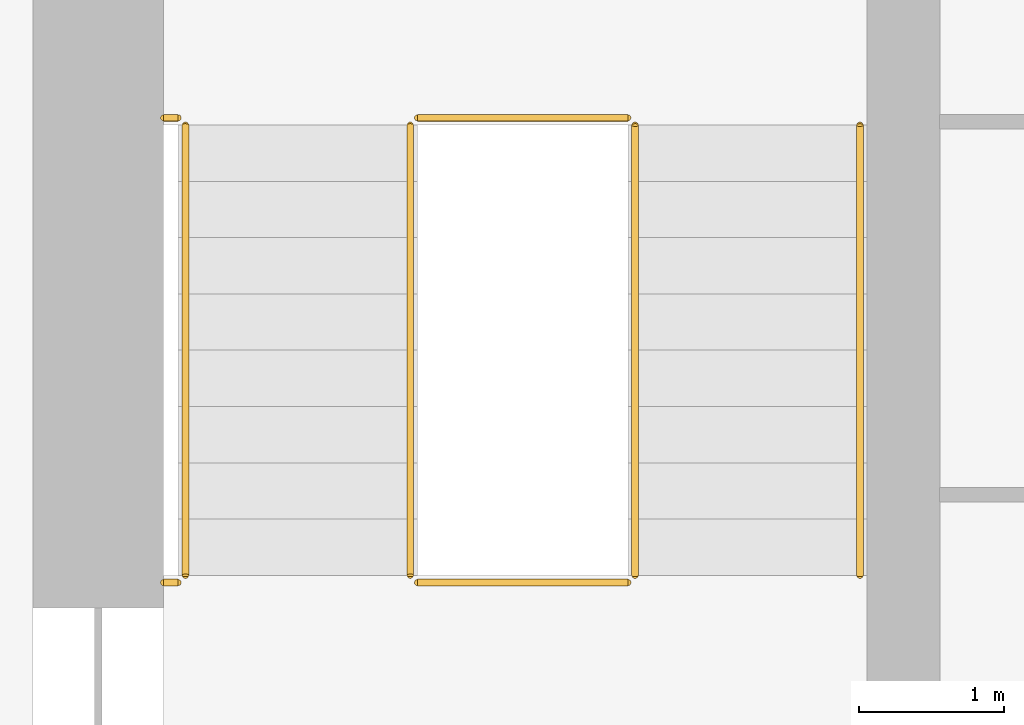
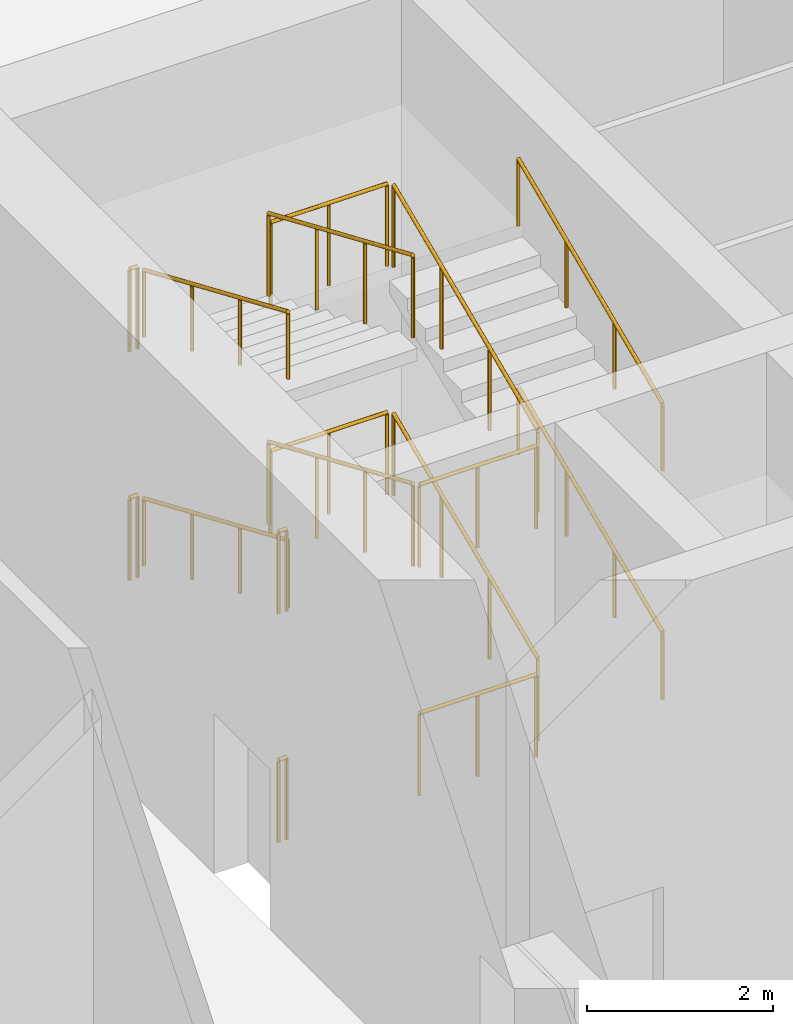
# One storey, part 21 of 24: 16 railings.
"""IFC4 building model written with IfcOpenShell, lengths in metres."""

from ifc_helpers import new_model, si_unit, direction, frame, origin, origin_2d, place, context, subcontext, project, spatial, circle, extrude, material, type_object, element, save


model = new_model("IFC4")

# Units and contexts
model_context = context("Model", 3, precision=1e-05, world=origin(), true_north=direction((0.0, 1.0)))
body_context = subcontext(model_context, "Body", "Model", "MODEL_VIEW")
ifc_project = project(units=[si_unit("LENGTHUNIT", "METRE"), si_unit("AREAUNIT", "SQUARE_METRE"), si_unit("VOLUMEUNIT", "CUBIC_METRE"), si_unit("PLANEANGLEUNIT", "RADIAN"), si_unit("MASSUNIT", "GRAM", prefix="KILO")], contexts=[model_context])

# Site, building, storey
site_placement = place(None, origin())
site = spatial("IfcSite", under=ifc_project, at=site_placement, CompositionType="ELEMENT")
building_placement = place(site_placement, origin())
building = spatial("IfcBuilding", under=site, at=building_placement, Name="Corbel Stack Research Tower", CompositionType="ELEMENT")
storey_placement = place(building_placement, frame((0.0, 0.0, 145.39990234375)))
storey = spatial("IfcBuildingStorey", under=building, at=storey_placement, Name="L33", CompositionType="ELEMENT", Elevation=145.39990234375)

# Railings
ifc_material_1 = material(Name="Steel S355", Category="steel")
railing_type_1 = type_object("IfcRailingType", Name="Stair guard 1100", PredefinedType="GUARDRAIL", material=ifc_material_1)
railing_1_placement = place(storey_placement, frame((-6.35009765625, 11.89990234375, 0.166748046875)))
element("IfcRailing", 1, at=railing_1_placement, inside=storey, type_object=railing_type_1, Name="L33 ST-W2 stair guard 1", PredefinedType="GUARDRAIL", context=body_context, shape_type="SweptSolid", body=[
    extrude(circle(Radius=0.02392578125, at=origin_2d()), frame((0.0, 0.0, 1.076171875), z_axis=(0.0, 0.918826996994, 0.394660549834), x_axis=(-1.0, 0.0, 0.0)), (0.0, 0.0, 1.0), 3.378173828125),
    extrude(circle(Radius=0.02099609375, at=origin_2d()), origin(), (0.0, 0.0, 1.0), 1.052001953125),
    extrude(circle(Radius=0.02099609375, at=origin_2d()), frame((0.0, 1.03466796875, 0.4443359375)), (0.0, 0.0, 1.0), 1.052001953125),
    extrude(circle(Radius=0.02099609375, at=origin_2d()), frame((0.0, 2.0693359375, 0.888916015625)), (0.0, 0.0, 1.0), 1.052001953125),
    extrude(circle(Radius=0.02099609375, at=origin_2d()), frame((0.0, 3.10400390625, 1.333251953125)), (0.0, 0.0, 1.0), 1.052001953125),
])
railing_2_placement = place(storey_placement, frame((-6.39990234375, 15.053955078125, 1.5)))
element("IfcRailing", 2, at=railing_2_placement, inside=storey, type_object=railing_type_1, Name="L33 ST-W2 stair guard 2", PredefinedType="GUARDRAIL", context=body_context, shape_type="SweptSolid", body=[
    extrude(circle(Radius=0.02392578125, at=origin_2d()), frame((0.0, 0.0, 1.076171875), z_axis=(-1.0, 0.0, 0.0), x_axis=(0.0, -1.0, 0.0)), (0.0, 0.0, 1.0), 1.4501953125),
    extrude(circle(Radius=0.02099609375, at=origin_2d()), origin(), (0.0, 0.0, 1.0), 1.052001953125),
    extrude(circle(Radius=0.02099609375, at=origin_2d()), frame((-0.72509765625, 0.0, 0.0)), (0.0, 0.0, 1.0), 1.052001953125),
    extrude(circle(Radius=0.02099609375, at=origin_2d()), frame((-1.4501953125, 0.0, 0.0)), (0.0, 0.0, 1.0), 1.052001953125),
])
railing_3_placement = place(storey_placement, frame((-9.5, 15.053955078125, 1.5)))
element("IfcRailing", 3, at=railing_3_placement, inside=storey, type_object=railing_type_1, Name="L33 ST-W2 stair guard 3", PredefinedType="GUARDRAIL", context=body_context, shape_type="SweptSolid", body=[
    extrude(circle(Radius=0.02392578125, at=origin_2d()), frame((0.0, 0.0, 1.076171875), z_axis=(-1.0, 0.0, 0.0), x_axis=(0.0, -1.0, 0.0)), (0.0, 0.0, 1.0), 0.10009765625),
    extrude(circle(Radius=0.02099609375, at=origin_2d()), origin(), (0.0, 0.0, 1.0), 1.052001953125),
    extrude(circle(Radius=0.02099609375, at=origin_2d()), frame((-0.10009765625, 0.0, 0.0)), (0.0, 0.0, 1.0), 1.052001953125),
])
railing_4_placement = place(storey_placement, frame((-7.89990234375, 15.00390625, 1.666748046875)))
element("IfcRailing", 4, at=railing_4_placement, inside=storey, type_object=railing_type_1, Name="L33 ST-W2 stair guard 4", PredefinedType="GUARDRAIL", context=body_context, shape_type="SweptSolid", body=[
    extrude(circle(Radius=0.02392578125, at=origin_2d()), frame((0.0, 0.0, 1.076171875), z_axis=(0.0, -0.918826996994, 0.394660549834), x_axis=(1.0, 0.0, 0.0)), (0.0, 0.0, 1.0), 3.378173828125),
    extrude(circle(Radius=0.02099609375, at=origin_2d()), origin(), (0.0, 0.0, 1.0), 1.052001953125),
    extrude(circle(Radius=0.02099609375, at=origin_2d()), frame((0.0, -1.03466796875, 0.4443359375)), (0.0, 0.0, 1.0), 1.052001953125),
    extrude(circle(Radius=0.02099609375, at=origin_2d()), frame((0.0, -2.0693359375, 0.888916015625)), (0.0, 0.0, 1.0), 1.052001953125),
    extrude(circle(Radius=0.02099609375, at=origin_2d()), frame((0.0, -3.10400390625, 1.333251953125)), (0.0, 0.0, 1.0), 1.052001953125),
])
railing_5_placement = place(storey_placement, frame((-6.39990234375, 11.85009765625, 3.0)))
element("IfcRailing", 5, at=railing_5_placement, inside=storey, type_object=railing_type_1, Name="L33 ST-W2 stair guard 5", PredefinedType="GUARDRAIL", context=body_context, shape_type="SweptSolid", body=[
    extrude(circle(Radius=0.02392578125, at=origin_2d()), frame((0.0, 0.0, 1.076171875), z_axis=(-1.0, 0.0, 0.0), x_axis=(0.0, -1.0, 0.0)), (0.0, 0.0, 1.0), 1.4501953125),
    extrude(circle(Radius=0.02099609375, at=origin_2d()), origin(), (0.0, 0.0, 1.0), 1.052001953125),
    extrude(circle(Radius=0.02099609375, at=origin_2d()), frame((-0.72509765625, 0.0, 0.0)), (0.0, 0.0, 1.0), 1.052001953125),
    extrude(circle(Radius=0.02099609375, at=origin_2d()), frame((-1.4501953125, 0.0, 0.0)), (0.0, 0.0, 1.0), 1.052001953125),
])
railing_6_placement = place(storey_placement, frame((-9.5, 11.85009765625, 3.0)))
element("IfcRailing", 6, at=railing_6_placement, inside=storey, type_object=railing_type_1, Name="L33 ST-W2 stair guard 6", PredefinedType="GUARDRAIL", context=body_context, shape_type="SweptSolid", body=[
    extrude(circle(Radius=0.02392578125, at=origin_2d()), frame((0.0, 0.0, 1.076171875), z_axis=(-1.0, 0.0, 0.0), x_axis=(0.0, -1.0, 0.0)), (0.0, 0.0, 1.0), 0.10009765625),
    extrude(circle(Radius=0.02099609375, at=origin_2d()), origin(), (0.0, 0.0, 1.0), 1.052001953125),
    extrude(circle(Radius=0.02099609375, at=origin_2d()), frame((-0.10009765625, 0.0, 0.0)), (0.0, 0.0, 1.0), 1.052001953125),
])
railing_7_placement = place(storey_placement, frame((-6.35009765625, 11.89990234375, 3.166748046875)))
element("IfcRailing", 7, at=railing_7_placement, inside=storey, type_object=railing_type_1, Name="L33 ST-W2 stair guard 7", PredefinedType="GUARDRAIL", context=body_context, shape_type="SweptSolid", body=[
    extrude(circle(Radius=0.02392578125, at=origin_2d()), frame((0.0, 0.0, 1.076171875), z_axis=(0.0, 0.918826996994, 0.394660549834), x_axis=(-1.0, 0.0, 0.0)), (0.0, 0.0, 1.0), 3.378173828125),
    extrude(circle(Radius=0.02099609375, at=origin_2d()), origin(), (0.0, 0.0, 1.0), 1.052001953125),
    extrude(circle(Radius=0.02099609375, at=origin_2d()), frame((0.0, 1.03466796875, 0.4443359375)), (0.0, 0.0, 1.0), 1.052001953125),
    extrude(circle(Radius=0.02099609375, at=origin_2d()), frame((0.0, 2.0693359375, 0.888916015625)), (0.0, 0.0, 1.0), 1.052001953125),
    extrude(circle(Radius=0.02099609375, at=origin_2d()), frame((0.0, 3.10400390625, 1.333251953125)), (0.0, 0.0, 1.0), 1.052001953125),
])
railing_8_placement = place(storey_placement, frame((-6.39990234375, 15.053955078125, 4.5)))
element("IfcRailing", 8, at=railing_8_placement, inside=storey, type_object=railing_type_1, Name="L33 ST-W2 stair guard 8", PredefinedType="GUARDRAIL", context=body_context, shape_type="SweptSolid", body=[
    extrude(circle(Radius=0.02392578125, at=origin_2d()), frame((0.0, 0.0, 1.076171875), z_axis=(-1.0, 0.0, 0.0), x_axis=(0.0, -1.0, 0.0)), (0.0, 0.0, 1.0), 1.4501953125),
    extrude(circle(Radius=0.02099609375, at=origin_2d()), origin(), (0.0, 0.0, 1.0), 1.052001953125),
    extrude(circle(Radius=0.02099609375, at=origin_2d()), frame((-0.72509765625, 0.0, 0.0)), (0.0, 0.0, 1.0), 1.052001953125),
    extrude(circle(Radius=0.02099609375, at=origin_2d()), frame((-1.4501953125, 0.0, 0.0)), (0.0, 0.0, 1.0), 1.052001953125),
])
railing_9_placement = place(storey_placement, frame((-9.5, 15.053955078125, 4.5)))
element("IfcRailing", 9, at=railing_9_placement, inside=storey, type_object=railing_type_1, Name="L33 ST-W2 stair guard 9", PredefinedType="GUARDRAIL", context=body_context, shape_type="SweptSolid", body=[
    extrude(circle(Radius=0.02392578125, at=origin_2d()), frame((0.0, 0.0, 1.076171875), z_axis=(-1.0, 0.0, 0.0), x_axis=(0.0, -1.0, 0.0)), (0.0, 0.0, 1.0), 0.10009765625),
    extrude(circle(Radius=0.02099609375, at=origin_2d()), origin(), (0.0, 0.0, 1.0), 1.052001953125),
    extrude(circle(Radius=0.02099609375, at=origin_2d()), frame((-0.10009765625, 0.0, 0.0)), (0.0, 0.0, 1.0), 1.052001953125),
])
railing_10_placement = place(storey_placement, frame((-7.89990234375, 15.00390625, 4.666748046875)))
element("IfcRailing", 10, at=railing_10_placement, inside=storey, type_object=railing_type_1, Name="L33 ST-W2 stair guard 10", PredefinedType="GUARDRAIL", context=body_context, shape_type="SweptSolid", body=[
    extrude(circle(Radius=0.02392578125, at=origin_2d()), frame((0.0, 0.0, 1.076171875), z_axis=(0.0, -0.918826996994, 0.394660549834), x_axis=(1.0, 0.0, 0.0)), (0.0, 0.0, 1.0), 3.378173828125),
    extrude(circle(Radius=0.02099609375, at=origin_2d()), origin(), (0.0, 0.0, 1.0), 1.052001953125),
    extrude(circle(Radius=0.02099609375, at=origin_2d()), frame((0.0, -1.03466796875, 0.4443359375)), (0.0, 0.0, 1.0), 1.052001953125),
    extrude(circle(Radius=0.02099609375, at=origin_2d()), frame((0.0, -2.0693359375, 0.888916015625)), (0.0, 0.0, 1.0), 1.052001953125),
    extrude(circle(Radius=0.02099609375, at=origin_2d()), frame((0.0, -3.10400390625, 1.333251953125)), (0.0, 0.0, 1.0), 1.052001953125),
])
railing_11_placement = place(storey_placement, frame((-6.39990234375, 11.85009765625, 0.0)))
element("IfcRailing", 11, at=railing_11_placement, inside=storey, type_object=railing_type_1, Name="L33 ST-W2 stair guard 11", PredefinedType="GUARDRAIL", context=body_context, shape_type="SweptSolid", body=[
    extrude(circle(Radius=0.02392578125, at=origin_2d()), frame((0.0, 0.0, 1.076171875), z_axis=(-1.0, 0.0, 0.0), x_axis=(0.0, -1.0, 0.0)), (0.0, 0.0, 1.0), 1.4501953125),
    extrude(circle(Radius=0.02099609375, at=origin_2d()), origin(), (0.0, 0.0, 1.0), 1.052001953125),
    extrude(circle(Radius=0.02099609375, at=origin_2d()), frame((-0.72509765625, 0.0, 0.0)), (0.0, 0.0, 1.0), 1.052001953125),
    extrude(circle(Radius=0.02099609375, at=origin_2d()), frame((-1.4501953125, 0.0, 0.0)), (0.0, 0.0, 1.0), 1.052001953125),
])
railing_12_placement = place(storey_placement, frame((-9.5, 11.85009765625, 0.0)))
element("IfcRailing", 12, at=railing_12_placement, inside=storey, type_object=railing_type_1, Name="L33 ST-W2 stair guard 12", PredefinedType="GUARDRAIL", context=body_context, shape_type="SweptSolid", body=[
    extrude(circle(Radius=0.02392578125, at=origin_2d()), frame((0.0, 0.0, 1.076171875), z_axis=(-1.0, 0.0, 0.0), x_axis=(0.0, -1.0, 0.0)), (0.0, 0.0, 1.0), 0.10009765625),
    extrude(circle(Radius=0.02099609375, at=origin_2d()), origin(), (0.0, 0.0, 1.0), 1.052001953125),
    extrude(circle(Radius=0.02099609375, at=origin_2d()), frame((-0.10009765625, 0.0, 0.0)), (0.0, 0.0, 1.0), 1.052001953125),
])
ifc_material_2 = material(Name="Steel S355", Category="steel")
railing_type_2 = type_object("IfcRailingType", Name="Stair handrail 900", PredefinedType="HANDRAIL", material=ifc_material_2)
railing_13_placement = place(storey_placement, frame((-4.800048828125, 11.89990234375, 0.166748046875)))
element("IfcRailing", 13, at=railing_13_placement, inside=storey, type_object=railing_type_2, Name="L33 ST-W2 stair handrail 1", PredefinedType="HANDRAIL", context=body_context, shape_type="SweptSolid", body=[
    extrude(circle(Radius=0.02392578125, at=origin_2d()), frame((0.0, 0.0, 0.8759765625), z_axis=(0.0, 0.918826996994, 0.394660549834), x_axis=(-1.0, 0.0, 0.0)), (0.0, 0.0, 1.0), 3.378173828125),
    extrude(circle(Radius=0.02099609375, at=origin_2d()), origin(), (0.0, 0.0, 1.0), 0.851806640625),
    extrude(circle(Radius=0.02099609375, at=origin_2d()), frame((0.0, 1.03466796875, 0.4443359375)), (0.0, 0.0, 1.0), 0.851806640625),
    extrude(circle(Radius=0.02099609375, at=origin_2d()), frame((0.0, 2.0693359375, 0.888916015625)), (0.0, 0.0, 1.0), 0.851806640625),
    extrude(circle(Radius=0.02099609375, at=origin_2d()), frame((0.0, 3.10400390625, 1.333251953125)), (0.0, 0.0, 1.0), 0.851806640625),
])
railing_14_placement = place(storey_placement, frame((-9.449951171875, 15.00390625, 1.666748046875)))
element("IfcRailing", 14, at=railing_14_placement, inside=storey, type_object=railing_type_2, Name="L33 ST-W2 stair handrail 2", PredefinedType="HANDRAIL", context=body_context, shape_type="SweptSolid", body=[
    extrude(circle(Radius=0.02392578125, at=origin_2d()), frame((0.0, 0.0, 0.8759765625), z_axis=(0.0, -0.918826996994, 0.394660549834), x_axis=(1.0, 0.0, 0.0)), (0.0, 0.0, 1.0), 3.378173828125),
    extrude(circle(Radius=0.02099609375, at=origin_2d()), origin(), (0.0, 0.0, 1.0), 0.851806640625),
    extrude(circle(Radius=0.02099609375, at=origin_2d()), frame((0.0, -1.03466796875, 0.4443359375)), (0.0, 0.0, 1.0), 0.851806640625),
    extrude(circle(Radius=0.02099609375, at=origin_2d()), frame((0.0, -2.0693359375, 0.888916015625)), (0.0, 0.0, 1.0), 0.851806640625),
    extrude(circle(Radius=0.02099609375, at=origin_2d()), frame((0.0, -3.10400390625, 1.333251953125)), (0.0, 0.0, 1.0), 0.851806640625),
])
railing_15_placement = place(storey_placement, frame((-4.800048828125, 11.89990234375, 3.166748046875)))
element("IfcRailing", 15, at=railing_15_placement, inside=storey, type_object=railing_type_2, Name="L33 ST-W2 stair handrail 3", PredefinedType="HANDRAIL", context=body_context, shape_type="SweptSolid", body=[
    extrude(circle(Radius=0.02392578125, at=origin_2d()), frame((0.0, 0.0, 0.8759765625), z_axis=(0.0, 0.918826996994, 0.394660549834), x_axis=(-1.0, 0.0, 0.0)), (0.0, 0.0, 1.0), 3.378173828125),
    extrude(circle(Radius=0.02099609375, at=origin_2d()), origin(), (0.0, 0.0, 1.0), 0.851806640625),
    extrude(circle(Radius=0.02099609375, at=origin_2d()), frame((0.0, 1.03466796875, 0.4443359375)), (0.0, 0.0, 1.0), 0.851806640625),
    extrude(circle(Radius=0.02099609375, at=origin_2d()), frame((0.0, 2.0693359375, 0.888916015625)), (0.0, 0.0, 1.0), 0.851806640625),
    extrude(circle(Radius=0.02099609375, at=origin_2d()), frame((0.0, 3.10400390625, 1.333251953125)), (0.0, 0.0, 1.0), 0.851806640625),
])
railing_16_placement = place(storey_placement, frame((-9.449951171875, 15.00390625, 4.666748046875)))
element("IfcRailing", 16, at=railing_16_placement, inside=storey, type_object=railing_type_2, Name="L33 ST-W2 stair handrail 4", PredefinedType="HANDRAIL", context=body_context, shape_type="SweptSolid", body=[
    extrude(circle(Radius=0.02392578125, at=origin_2d()), frame((0.0, 0.0, 0.8759765625), z_axis=(0.0, -0.918826996994, 0.394660549834), x_axis=(1.0, 0.0, 0.0)), (0.0, 0.0, 1.0), 3.378173828125),
    extrude(circle(Radius=0.02099609375, at=origin_2d()), origin(), (0.0, 0.0, 1.0), 0.851806640625),
    extrude(circle(Radius=0.02099609375, at=origin_2d()), frame((0.0, -1.03466796875, 0.4443359375)), (0.0, 0.0, 1.0), 0.851806640625),
    extrude(circle(Radius=0.02099609375, at=origin_2d()), frame((0.0, -2.0693359375, 0.888916015625)), (0.0, 0.0, 1.0), 0.851806640625),
    extrude(circle(Radius=0.02099609375, at=origin_2d()), frame((0.0, -3.10400390625, 1.333251953125)), (0.0, 0.0, 1.0), 0.851806640625),
])

save(model, "model.ifc")
